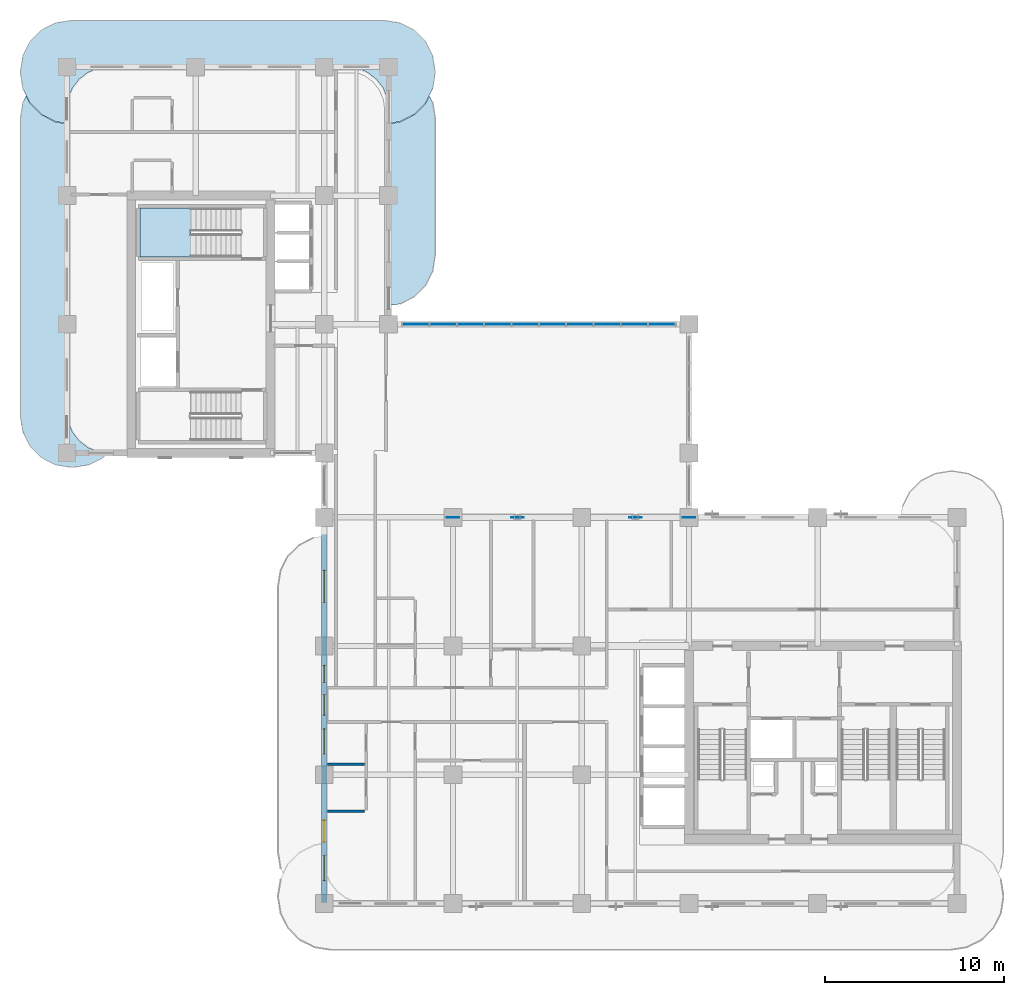
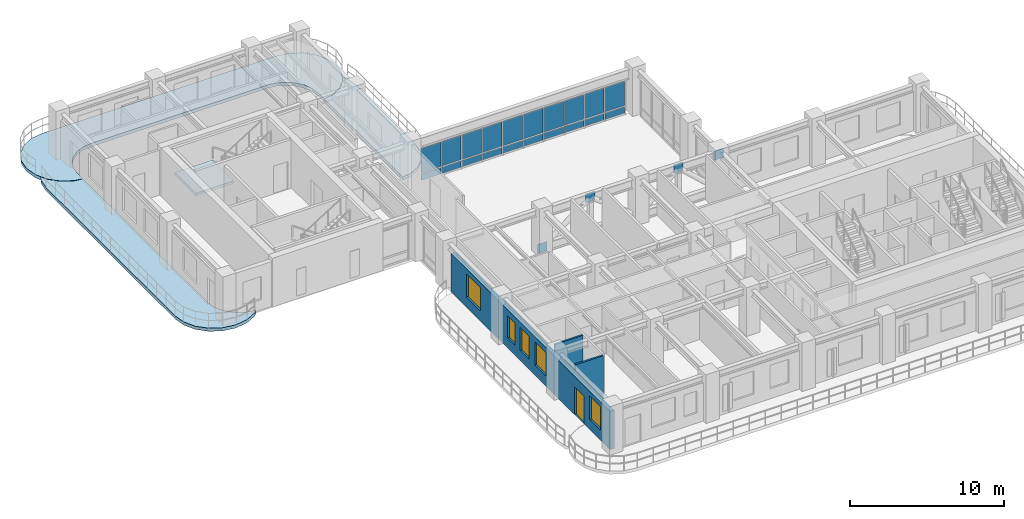
# One storey, part 8 of 17: 24 plates, 5 windows, 4 slabs, 3 walls, 1 door, 6 openings, 2 elements without a shape of their own.
"""IFC4 building model written with IfcOpenShell, lengths in metres."""

from ifc_helpers import new_model, si_unit, derived_unit, direction, frame, frame_2d, origin, origin_2d, place, context, subcontext, project, spatial, polyline, rectangle, outline, extrude, source, transform, mapped, material, layer, layer_set, type_object, type_shapes, element, fill, aggregate, save


model = new_model("IFC4")

# Units and contexts
model_context = context("Model", 3, precision=1e-05, world=origin(), true_north=direction((0.0, 1.0)))
body_context = subcontext(model_context, "Body", "Model", "MODEL_VIEW")
ifc_project = project(units=[si_unit("LENGTHUNIT", "METRE"), si_unit("AREAUNIT", "SQUARE_METRE"), si_unit("VOLUMEUNIT", "CUBIC_METRE"), si_unit("PLANEANGLEUNIT", "RADIAN"), si_unit("MASSUNIT", "GRAM", prefix="KILO"), si_unit("THERMODYNAMICTEMPERATUREUNIT", "KELVIN"), si_unit("POWERUNIT", "WATT"), derived_unit("THERMALTRANSMITTANCEUNIT", [(si_unit("POWERUNIT", "WATT"), 1), (si_unit("AREAUNIT", "SQUARE_METRE"), -1), (si_unit("THERMODYNAMICTEMPERATUREUNIT", "KELVIN"), -1)])], contexts=[model_context])

# Site, building, storey
site_placement = place(None, origin())
site = spatial("IfcSite", under=ifc_project, at=site_placement, CompositionType="ELEMENT")
building_placement = place(site_placement, origin())
building = spatial("IfcBuilding", under=site, at=building_placement, Name="Zahravan Archway Hotel and Residences", CompositionType="ELEMENT")
storey_placement = place(building_placement, frame((0.0, 0.0, 192.64990234375)))
storey = spatial("IfcBuildingStorey", under=building, at=storey_placement, Name="L48", CompositionType="ELEMENT", Elevation=192.64990234375)

# Slabs
ifc_material_1 = material(Name="Concrete C45/55", Category="concrete")
ifc_layer_1 = layer(ifc_material_1, 0.25, Name="Concrete C45/55", Category="concrete")
ifc_layer_set_1 = layer_set([ifc_layer_1], Name="Concrete C45/55")
slab_type_1 = type_object("IfcSlabType", Name="SLB-BALC-250", PredefinedType="FLOOR", material=ifc_layer_set_1)
slab_1_placement = place(storey_placement, frame((0.0, 0.0, -0.25)))
element("IfcSlab", 1, at=slab_1_placement, inside=storey, type_object=slab_type_1, Name="L48 Wing B North Rounded Balcony Band", PredefinedType="FLOOR", context=body_context, shape_type="SweptSolid", body=[
    extrude(outline(polyline([(-0.630615234375, 43.739501953125), (-1.42529296875, 44.144287109375), (-2.0556640625, 44.77490234375), (-2.46044921875, 45.5693359375), (-2.60009765625, 46.449951171875), (-2.60009765625, 46.550048828125), (-2.46044921875, 47.4306640625), (-2.0556640625, 48.22509765625), (-1.42529296875, 48.855712890625), (-0.630615234375, 49.260498046875), (0.25, 49.39990234375), (17.75, 49.39990234375), (18.630615234375, 49.260498046875), (19.42529296875, 48.855712890625), (20.0556640625, 48.22509765625), (20.46044921875, 47.4306640625), (20.60009765625, 46.550048828125), (20.60009765625, 46.449951171875), (20.46044921875, 45.5693359375), (20.0556640625, 44.77490234375), (19.42529296875, 44.144287109375), (18.630615234375, 43.739501953125), (18.02001953125, 43.642822265625), (18.02001953125, 44.39990234375), (18.019775390625, 44.402587890625), (17.93798828125, 45.023681640625), (17.937744140625, 45.025390625), (17.937255859375, 45.027099609375), (17.936767578125, 45.02880859375), (17.697021484375, 45.607666015625), (17.6962890625, 45.609130859375), (17.6953125, 45.610595703125), (17.6943359375, 45.6123046875), (17.31298828125, 46.109375), (17.311767578125, 46.110595703125), (17.310546875, 46.11181640625), (17.309326171875, 46.113037109375), (16.812255859375, 46.494384765625), (16.810791015625, 46.495361328125), (16.80908203125, 46.49609375), (16.8076171875, 46.4970703125), (16.22900390625, 46.73681640625), (16.227294921875, 46.7373046875), (16.2255859375, 46.73779296875), (16.223876953125, 46.738037109375), (15.6025390625, 46.81982421875), (15.60009765625, 46.820068359375), (2.39990234375, 46.820068359375), (2.3974609375, 46.81982421875), (1.776123046875, 46.738037109375), (1.7744140625, 46.73779296875), (1.772705078125, 46.7373046875), (1.77099609375, 46.73681640625), (1.1923828125, 46.4970703125), (1.19091796875, 46.49609375), (1.189208984375, 46.495361328125), (1.187744140625, 46.494384765625), (0.690673828125, 46.113037109375), (0.689453125, 46.11181640625), (0.688232421875, 46.110595703125), (0.68701171875, 46.109375), (0.3056640625, 45.6123046875), (0.3046875, 45.610595703125), (0.3037109375, 45.609130859375), (0.302978515625, 45.607666015625), (0.063232421875, 45.02880859375), (0.062744140625, 45.027099609375), (0.062255859375, 45.025390625), (0.06201171875, 45.023681640625), (-0.019775390625, 44.402587890625), (-0.02001953125, 44.39990234375), (-0.02001953125, 43.642822265625), (-0.630615234375, 43.739501953125)])), origin(), (0.0, 0.0, 1.0), 0.25),
])
slab_2_placement = place(storey_placement, frame((0.0, 0.0, -0.25)))
element("IfcSlab", 2, at=slab_2_placement, inside=storey, type_object=slab_type_1, Name="L48 Wing B West Rounded Balcony Band", PredefinedType="FLOOR", context=body_context, shape_type="SweptSolid", body=[
    extrude(outline(polyline([(2.025146484375, 24.9443359375), (1.230712890625, 24.53955078125), (0.35009765625, 24.39990234375), (0.25, 24.39990234375), (-0.630615234375, 24.53955078125), (-1.42529296875, 24.9443359375), (-2.0556640625, 25.57470703125), (-2.46044921875, 26.369384765625), (-2.60009765625, 27.25), (-2.60009765625, 43.949951171875), (-2.46044921875, 44.830810546875), (-2.28369140625, 45.177978515625), (-2.073486328125, 44.765625), (-2.072509765625, 44.763916015625), (-2.0712890625, 44.76220703125), (-2.06982421875, 44.7607421875), (-1.439208984375, 44.130126953125), (-1.437744140625, 44.12890625), (-1.43603515625, 44.12744140625), (-1.434326171875, 44.12646484375), (-0.639892578125, 43.7216796875), (-0.637939453125, 43.720703125), (-0.635986328125, 43.72021484375), (-0.6337890625, 43.7197265625), (-0.023193359375, 43.623046875), (-0.021240234375, 43.622802734375), (-0.02001953125, 43.622802734375), (-0.02001953125, 27.60009765625), (-0.019775390625, 27.597412109375), (0.06201171875, 26.976318359375), (0.062255859375, 26.974609375), (0.062744140625, 26.972900390625), (0.063232421875, 26.97119140625), (0.302978515625, 26.392333984375), (0.3037109375, 26.390869140625), (0.3046875, 26.389404296875), (0.3056640625, 26.3876953125), (0.68701171875, 25.890625), (0.688232421875, 25.889404296875), (0.689453125, 25.88818359375), (0.690673828125, 25.886962890625), (1.187744140625, 25.505615234375), (1.189208984375, 25.504638671875), (1.19091796875, 25.50390625), (1.1923828125, 25.5029296875), (1.77099609375, 25.26318359375), (1.772705078125, 25.2626953125), (1.7744140625, 25.26220703125), (1.776123046875, 25.261962890625), (2.27685546875, 25.196044921875), (2.025146484375, 24.9443359375)])), origin(), (0.0, 0.0, 1.0), 0.25),
])
slab_3_placement = place(storey_placement, frame((0.0, 0.0, -0.25)))
element("IfcSlab", 3, at=slab_3_placement, inside=storey, type_object=slab_type_1, Name="L48 Wing B East Rounded Balcony Band", PredefinedType="FLOOR", context=body_context, shape_type="SweptSolid", body=[
    extrude(outline(polyline([(20.46044921875, 44.830810546875), (20.60009765625, 43.949951171875), (20.60009765625, 36.25), (20.46044921875, 35.369384765625), (20.0556640625, 34.57470703125), (19.42529296875, 33.9443359375), (18.630615234375, 33.53955078125), (18.02001953125, 33.44287109375), (18.02001953125, 43.622802734375), (18.021240234375, 43.622802734375), (18.023193359375, 43.623046875), (18.6337890625, 43.7197265625), (18.635986328125, 43.72021484375), (18.637939453125, 43.720703125), (18.639892578125, 43.7216796875), (19.434326171875, 44.12646484375), (19.43603515625, 44.12744140625), (19.437744140625, 44.12890625), (19.439208984375, 44.130126953125), (20.06982421875, 44.7607421875), (20.0712890625, 44.76220703125), (20.072509765625, 44.763916015625), (20.073486328125, 44.765625), (20.28369140625, 45.177978515625), (20.46044921875, 44.830810546875)])), origin(), (0.0, 0.0, 1.0), 0.25),
])

# Stair, slab
ifc_material_2 = material(Name="Concrete C50/60", Category="concrete")
stair_type = type_object("IfcStairType", Name="STR-CORE-1300", PredefinedType="HALF_TURN_STAIR", material=ifc_material_2)
stair_placement = place(storey_placement, origin())
stair = element("IfcStair", 4, at=stair_placement, inside=storey, type_object=stair_type, Name="L48 Core B Exit Stair 2", PredefinedType="HALF_TURN_STAIR")
ifc_layer_2 = layer(ifc_material_2, 0.199951171875, Name="Concrete C50/60", Category="concrete")
ifc_layer_set_2 = layer_set([ifc_layer_2], Name="Concrete C50/60")
slab_type_2 = type_object("IfcSlabType", Name="SLB-LND-200", PredefinedType="LANDING", material=ifc_layer_set_2)
slab_4_placement = place(storey_placement, frame((0.0, 0.0, 1.72509765625)))
slab_4 = element("IfcSlab", 5, at=slab_4_placement, type_object=slab_type_2, Name="ST-B2 landing 1", PredefinedType="LANDING", context=body_context, shape_type="SweptSolid", body=[
    extrude(outline(polyline([(6.929931640625, 38.89990234375), (4.10009765625, 38.89990234375), (4.10009765625, 36.159912109375), (6.929931640625, 36.159912109375), (6.929931640625, 38.89990234375)])), origin(), (0.0, 0.0, 1.0), 0.199951171875),
])
aggregate(stair, [slab_4])

# Plates
ifc_material_3 = material(Name="Structural Steel S355J2", Category="steel")
ifc_layer_3 = layer(ifc_material_3, 0.030029296875, Name="Structural Steel S355J2", Category="steel")
ifc_layer_set_3 = layer_set([ifc_layer_3], Name="Structural Steel S355J2")
plate_type_1 = type_object("IfcPlateType", Name="PLT-GUS-BTN1", PredefinedType="USERDEFINED", material=ifc_layer_set_3)
shared_shape_1 = source(origin(), body_context, "Body", "SweptSolid", [
    extrude(rectangle(XDim=0.699951171875, YDim=0.030029296875, at=origin_2d()), origin(), (0.0, 0.0, 1.0), 0.699951171875),
])
type_shapes(plate_type_1, [shared_shape_1])
for number, where, z_axis, x_axis, name in (
    (6, (21.60009765625, 21.60009765625, 0.0), (0.0, 0.0, 1.0), (1.0, 0.0, 0.0), "L48 Sky-Bridge End Gusset Plate BTN1-W"),
    (7, (34.800048828125, 21.60009765625, 2.75), (0.0, 0.0, 1.0), (1.0, 0.0, 0.0), "L48 Sky-Bridge End Gusset Plate BTN1-E"),
    (8, (25.199951171875, 21.60009765625, 2.75), (0.0, 0.0, 1.0), (1.0, 0.0, 0.0), "L48 Sky-Bridge Gusset Plate BTN1-1"),
    (9, (31.800048828125, 21.60009765625, 2.75), (0.0, 0.0, 1.0), (1.0, 0.0, 0.0), "L48 Sky-Bridge Gusset Plate BTN1-3"),
):
    element("IfcPlate", number, at=place(storey_placement, frame(where, z_axis=z_axis, x_axis=x_axis)), inside=storey, type_object=plate_type_1, Name=name, ObjectType="GUSSET", PredefinedType="USERDEFINED", context=body_context, shape_type="MappedRepresentation", body=[
        mapped(shared_shape_1, transform((0.0, 0.0, 0.0), scale=1.0)),
    ])

# Curtain wall, plates
ifc_material_4 = material(Name="Bronze-Anodized Unitised Aluminium & Low-E Glass", Category="aluminium")
ifc_layer_4 = layer(ifc_material_4, 0.179931640625, Name="Bronze-Anodized Unitised Aluminium & Low-E Glass", Category="aluminium")
ifc_layer_set_4 = layer_set([ifc_layer_4], Name="Bronze-Anodized Unitised Aluminium & Low-E Glass")
curtain_wall_type = type_object("IfcCurtainWallType", Name="CW-SBG-2", PredefinedType="NOTDEFINED", material=ifc_layer_set_4)
curtain_wall_placement = place(storey_placement, origin())
curtain_wall = element("IfcCurtainWall", 10, at=curtain_wall_placement, inside=storey, type_object=curtain_wall_type, Name="L48 Curtain Wall CW-L48-HNG-N-1", PredefinedType="NOTDEFINED")
ifc_material_5 = material(Name="Insulated Terracotta Spandrel Panel", Category="masonry")
ifc_layer_5 = layer(ifc_material_5, 0.0400390625, Name="Insulated Terracotta Spandrel Panel", Category="masonry")
ifc_layer_set_5 = layer_set([ifc_layer_5], Name="Insulated Terracotta Spandrel Panel")
plate_type_2 = type_object("IfcPlateType", Name="CWP-SPN-40", PredefinedType="SHEET", material=ifc_layer_set_5)
shared_shape_2 = source(origin(), body_context, "Body", "SweptSolid", [
    extrude(rectangle(XDim=1.447998046875, YDim=0.0400390625, at=origin_2d()), origin(), (0.0, 0.0, 1.0), 0.516357421875),
])
plate_1_placement = place(storey_placement, frame((19.52392578125, 32.39990234375, 0.10009765625), z_axis=(0.0, 0.0, 1.0), x_axis=(1.0, 0.0, 0.0)))
plate_1 = element("IfcPlate", 11, at=plate_1_placement, type_object=plate_type_2, Name="CW-L48-HNG-N-1 Spandrel Panel 0", PredefinedType="SHEET", context=body_context, shape_type="MappedRepresentation", body=[
    mapped(shared_shape_2, transform((0.0, 0.0, 0.0), scale=1.0)),
])
plate_2_placement = place(storey_placement, frame((21.052001953125, 32.39990234375, 0.10009765625), z_axis=(0.0, 0.0, 1.0), x_axis=(1.0, 0.0, 0.0)))
plate_2 = element("IfcPlate", 12, at=plate_2_placement, type_object=plate_type_2, Name="CW-L48-HNG-N-1 Spandrel Panel 1", PredefinedType="SHEET", context=body_context, shape_type="MappedRepresentation", body=[
    mapped(shared_shape_2, transform((0.0, 0.0, 0.0), scale=1.0)),
])
plate_3_placement = place(storey_placement, frame((22.580078125, 32.39990234375, 0.10009765625), z_axis=(0.0, 0.0, 1.0), x_axis=(1.0, 0.0, 0.0)))
plate_3 = element("IfcPlate", 13, at=plate_3_placement, type_object=plate_type_2, Name="CW-L48-HNG-N-1 Spandrel Panel 2", PredefinedType="SHEET", context=body_context, shape_type="MappedRepresentation", body=[
    mapped(shared_shape_2, transform((0.0, 0.0, 0.0), scale=1.0)),
])
plate_4_placement = place(storey_placement, frame((24.10791015625, 32.39990234375, 0.10009765625), z_axis=(0.0, 0.0, 1.0), x_axis=(1.0, 0.0, 0.0)))
plate_4 = element("IfcPlate", 14, at=plate_4_placement, type_object=plate_type_2, Name="CW-L48-HNG-N-1 Spandrel Panel 3", PredefinedType="SHEET", context=body_context, shape_type="MappedRepresentation", body=[
    mapped(shared_shape_2, transform((0.0, 0.0, 0.0), scale=1.0)),
])
plate_5_placement = place(storey_placement, frame((25.635986328125, 32.39990234375, 0.10009765625), z_axis=(0.0, 0.0, 1.0), x_axis=(1.0, 0.0, 0.0)))
plate_5 = element("IfcPlate", 15, at=plate_5_placement, type_object=plate_type_2, Name="CW-L48-HNG-N-1 Spandrel Panel 4", PredefinedType="SHEET", context=body_context, shape_type="MappedRepresentation", body=[
    mapped(shared_shape_2, transform((0.0, 0.0, 0.0), scale=1.0)),
])
plate_6_placement = place(storey_placement, frame((27.1640625, 32.39990234375, 0.10009765625), z_axis=(0.0, 0.0, 1.0), x_axis=(1.0, 0.0, 0.0)))
plate_6 = element("IfcPlate", 16, at=plate_6_placement, type_object=plate_type_2, Name="CW-L48-HNG-N-1 Spandrel Panel 5", PredefinedType="SHEET", context=body_context, shape_type="MappedRepresentation", body=[
    mapped(shared_shape_2, transform((0.0, 0.0, 0.0), scale=1.0)),
])
plate_7_placement = place(storey_placement, frame((28.69189453125, 32.39990234375, 0.10009765625), z_axis=(0.0, 0.0, 1.0), x_axis=(1.0, 0.0, 0.0)))
plate_7 = element("IfcPlate", 17, at=plate_7_placement, type_object=plate_type_2, Name="CW-L48-HNG-N-1 Spandrel Panel 6", PredefinedType="SHEET", context=body_context, shape_type="MappedRepresentation", body=[
    mapped(shared_shape_2, transform((0.0, 0.0, 0.0), scale=1.0)),
])
plate_8_placement = place(storey_placement, frame((30.219970703125, 32.39990234375, 0.10009765625), z_axis=(0.0, 0.0, 1.0), x_axis=(1.0, 0.0, 0.0)))
plate_8 = element("IfcPlate", 18, at=plate_8_placement, type_object=plate_type_2, Name="CW-L48-HNG-N-1 Spandrel Panel 7", PredefinedType="SHEET", context=body_context, shape_type="MappedRepresentation", body=[
    mapped(shared_shape_2, transform((0.0, 0.0, 0.0), scale=1.0)),
])
plate_9_placement = place(storey_placement, frame((31.748046875, 32.39990234375, 0.10009765625), z_axis=(0.0, 0.0, 1.0), x_axis=(1.0, 0.0, 0.0)))
plate_9 = element("IfcPlate", 19, at=plate_9_placement, type_object=plate_type_2, Name="CW-L48-HNG-N-1 Spandrel Panel 8", PredefinedType="SHEET", context=body_context, shape_type="MappedRepresentation", body=[
    mapped(shared_shape_2, transform((0.0, 0.0, 0.0), scale=1.0)),
])
plate_10_placement = place(storey_placement, frame((33.27587890625, 32.39990234375, 0.10009765625), z_axis=(0.0, 0.0, 1.0), x_axis=(1.0, 0.0, 0.0)))
plate_10 = element("IfcPlate", 20, at=plate_10_placement, type_object=plate_type_2, Name="CW-L48-HNG-N-1 Spandrel Panel 9", PredefinedType="SHEET", context=body_context, shape_type="MappedRepresentation", body=[
    mapped(shared_shape_2, transform((0.0, 0.0, 0.0), scale=1.0)),
])
ifc_material_6 = material(Name="Double-Silver Low-E Insulated Vision Glass", Category="glass")
ifc_layer_6 = layer(ifc_material_6, 0.028076171875, Name="Double-Silver Low-E Insulated Vision Glass", Category="glass")
ifc_layer_set_6 = layer_set([ifc_layer_6], Name="Double-Silver Low-E Insulated Vision Glass")
plate_type_3 = type_object("IfcPlateType", Name="CWP-GLZ-28", PredefinedType="CURTAIN_PANEL", material=ifc_layer_set_6)
shared_shape_3 = source(origin(), body_context, "Body", "SweptSolid", [
    extrude(rectangle(XDim=1.447998046875, YDim=0.028076171875, at=origin_2d()), origin(), (0.0, 0.0, 1.0), 1.938720703125),
])
plate_11_placement = place(storey_placement, frame((19.52392578125, 32.39990234375, 0.6962890625), z_axis=(0.0, 0.0, 1.0), x_axis=(1.0, 0.0, 0.0)))
plate_11 = element("IfcPlate", 21, at=plate_11_placement, type_object=plate_type_3, Name="CW-L48-HNG-N-1 Low-E Vision Panel 0", PredefinedType="CURTAIN_PANEL", context=body_context, shape_type="MappedRepresentation", body=[
    mapped(shared_shape_3, transform((0.0, 0.0, 0.0), scale=1.0)),
])
plate_12_placement = place(storey_placement, frame((21.052001953125, 32.39990234375, 0.6962890625), z_axis=(0.0, 0.0, 1.0), x_axis=(1.0, 0.0, 0.0)))
plate_12 = element("IfcPlate", 22, at=plate_12_placement, type_object=plate_type_3, Name="CW-L48-HNG-N-1 Low-E Vision Panel 1", PredefinedType="CURTAIN_PANEL", context=body_context, shape_type="MappedRepresentation", body=[
    mapped(shared_shape_3, transform((0.0, 0.0, 0.0), scale=1.0)),
])
plate_13_placement = place(storey_placement, frame((22.580078125, 32.39990234375, 0.6962890625), z_axis=(0.0, 0.0, 1.0), x_axis=(1.0, 0.0, 0.0)))
plate_13 = element("IfcPlate", 23, at=plate_13_placement, type_object=plate_type_3, Name="CW-L48-HNG-N-1 Low-E Vision Panel 2", PredefinedType="CURTAIN_PANEL", context=body_context, shape_type="MappedRepresentation", body=[
    mapped(shared_shape_3, transform((0.0, 0.0, 0.0), scale=1.0)),
])
plate_14_placement = place(storey_placement, frame((24.10791015625, 32.39990234375, 0.6962890625), z_axis=(0.0, 0.0, 1.0), x_axis=(1.0, 0.0, 0.0)))
plate_14 = element("IfcPlate", 24, at=plate_14_placement, type_object=plate_type_3, Name="CW-L48-HNG-N-1 Low-E Vision Panel 3", PredefinedType="CURTAIN_PANEL", context=body_context, shape_type="MappedRepresentation", body=[
    mapped(shared_shape_3, transform((0.0, 0.0, 0.0), scale=1.0)),
])
plate_15_placement = place(storey_placement, frame((25.635986328125, 32.39990234375, 0.6962890625), z_axis=(0.0, 0.0, 1.0), x_axis=(1.0, 0.0, 0.0)))
plate_15 = element("IfcPlate", 25, at=plate_15_placement, type_object=plate_type_3, Name="CW-L48-HNG-N-1 Low-E Vision Panel 4", PredefinedType="CURTAIN_PANEL", context=body_context, shape_type="MappedRepresentation", body=[
    mapped(shared_shape_3, transform((0.0, 0.0, 0.0), scale=1.0)),
])
plate_16_placement = place(storey_placement, frame((27.1640625, 32.39990234375, 0.6962890625), z_axis=(0.0, 0.0, 1.0), x_axis=(1.0, 0.0, 0.0)))
plate_16 = element("IfcPlate", 26, at=plate_16_placement, type_object=plate_type_3, Name="CW-L48-HNG-N-1 Low-E Vision Panel 5", PredefinedType="CURTAIN_PANEL", context=body_context, shape_type="MappedRepresentation", body=[
    mapped(shared_shape_3, transform((0.0, 0.0, 0.0), scale=1.0)),
])
plate_17_placement = place(storey_placement, frame((28.69189453125, 32.39990234375, 0.6962890625), z_axis=(0.0, 0.0, 1.0), x_axis=(1.0, 0.0, 0.0)))
plate_17 = element("IfcPlate", 27, at=plate_17_placement, type_object=plate_type_3, Name="CW-L48-HNG-N-1 Low-E Vision Panel 6", PredefinedType="CURTAIN_PANEL", context=body_context, shape_type="MappedRepresentation", body=[
    mapped(shared_shape_3, transform((0.0, 0.0, 0.0), scale=1.0)),
])
plate_18_placement = place(storey_placement, frame((30.219970703125, 32.39990234375, 0.6962890625), z_axis=(0.0, 0.0, 1.0), x_axis=(1.0, 0.0, 0.0)))
plate_18 = element("IfcPlate", 28, at=plate_18_placement, type_object=plate_type_3, Name="CW-L48-HNG-N-1 Low-E Vision Panel 7", PredefinedType="CURTAIN_PANEL", context=body_context, shape_type="MappedRepresentation", body=[
    mapped(shared_shape_3, transform((0.0, 0.0, 0.0), scale=1.0)),
])
plate_19_placement = place(storey_placement, frame((31.748046875, 32.39990234375, 0.6962890625), z_axis=(0.0, 0.0, 1.0), x_axis=(1.0, 0.0, 0.0)))
plate_19 = element("IfcPlate", 29, at=plate_19_placement, type_object=plate_type_3, Name="CW-L48-HNG-N-1 Low-E Vision Panel 8", PredefinedType="CURTAIN_PANEL", context=body_context, shape_type="MappedRepresentation", body=[
    mapped(shared_shape_3, transform((0.0, 0.0, 0.0), scale=1.0)),
])
plate_20_placement = place(storey_placement, frame((33.27587890625, 32.39990234375, 0.6962890625), z_axis=(0.0, 0.0, 1.0), x_axis=(1.0, 0.0, 0.0)))
plate_20 = element("IfcPlate", 30, at=plate_20_placement, type_object=plate_type_3, Name="CW-L48-HNG-N-1 Low-E Vision Panel 9", PredefinedType="CURTAIN_PANEL", context=body_context, shape_type="MappedRepresentation", body=[
    mapped(shared_shape_3, transform((0.0, 0.0, 0.0), scale=1.0)),
])
aggregate(curtain_wall, [plate_1, plate_11, plate_2, plate_12, plate_3, plate_13, plate_4, plate_14, plate_5, plate_15, plate_6, plate_16, plate_7, plate_17, plate_8, plate_18, plate_9, plate_19, plate_10, plate_20])

# Wall, openings, door, windows
ifc_material_7 = material(Name="Agra Buff Sandstone & Insulated Backup", Category="masonry")
ifc_layer_7 = layer(ifc_material_7, 0.320068359375, Name="Agra Buff Sandstone & Insulated Backup", Category="masonry")
ifc_layer_set_7 = layer_set([ifc_layer_7], Name="Agra Buff Sandstone & Insulated Backup")
wall_type_1 = type_object("IfcWallType", Name="EW-SAND-320", PredefinedType="SOLIDWALL", material=ifc_layer_set_7)
wall_placement = place(storey_placement, frame((14.39990234375, 0.050048828125, 0.0), z_axis=(0.0, 0.0, 1.0), x_axis=(0.0, 1.0, 0.0)))
wall = element("IfcWall", 31, at=wall_placement, inside=storey, type_object=wall_type_1, Name="L48 Exterior Sandstone Wall WA-WL", PredefinedType="SOLIDWALL", context=body_context, shape_type="SweptSolid", body=[
    extrude(rectangle(XDim=20.599853515625, YDim=0.320068359375, at=frame_2d((10.2998046875, 0.0))), origin(), (0.0, 0.0, 1.0), 3.03515625),
])
opening_1_placement = place(wall_placement, frame((3.39990234375, 0.0, 0.0)))
opening_1 = element("IfcOpeningElement", 32, at=opening_1_placement, cuts=wall, Name="Opening ED-BL1", PredefinedType="OPENING", context=body_context, shape_type="SweptSolid", body=[
    extrude(rectangle(XDim=1.199951171875, YDim=2.199951171875, at=frame_2d((0.60009765625, 1.10009765625))), frame((0.0, 0.169921875, 0.0), z_axis=(0.0, -1.0, 0.0), x_axis=(1.0, 0.0, 0.0)), (0.0, 0.0, 1.0), 0.340087890625),
])
opening_2_placement = place(wall_placement, frame((1.22509765625, 0.0, 0.800048828125)))
opening_2 = element("IfcOpeningElement", 33, at=opening_2_placement, cuts=wall, Name="Opening W-03", PredefinedType="OPENING", context=body_context, shape_type="SweptSolid", body=[
    extrude(rectangle(XDim=1.39990234375, YDim=1.85009765625, at=frame_2d((0.699951171875, 0.925048828125))), frame((0.0, 0.169921875, 0.0), z_axis=(0.0, -1.0, 0.0), x_axis=(1.0, 0.0, 0.0)), (0.0, 0.0, 1.0), 0.340087890625),
])
opening_3_placement = place(wall_placement, frame((8.321044921875, 0.0, 0.800048828125)))
opening_3 = element("IfcOpeningElement", 34, at=opening_3_placement, cuts=wall, Name="Opening W-03", PredefinedType="OPENING", context=body_context, shape_type="SweptSolid", body=[
    extrude(rectangle(XDim=1.39990234375, YDim=1.85009765625, at=frame_2d((0.699951171875, 0.925048828125))), frame((0.0, 0.169921875, 0.0), z_axis=(0.0, -1.0, 0.0), x_axis=(1.0, 0.0, 0.0)), (0.0, 0.0, 1.0), 0.340087890625),
])
opening_4_placement = place(wall_placement, frame((10.485107421875, 0.0, 0.800048828125)))
opening_4 = element("IfcOpeningElement", 35, at=opening_4_placement, cuts=wall, Name="Opening W-05", PredefinedType="OPENING", context=body_context, shape_type="SweptSolid", body=[
    extrude(rectangle(XDim=1.14990234375, YDim=1.800048828125, at=frame_2d((0.574951171875, 0.89990234375))), frame((0.0, 0.169921875, 0.0), z_axis=(0.0, -1.0, 0.0), x_axis=(1.0, 0.0, 0.0)), (0.0, 0.0, 1.0), 0.340087890625),
])
opening_5_placement = place(wall_placement, frame((12.31396484375, 0.0, 0.800048828125)))
opening_5 = element("IfcOpeningElement", 36, at=opening_5_placement, cuts=wall, Name="Opening W-04", PredefinedType="OPENING", context=body_context, shape_type="SweptSolid", body=[
    extrude(rectangle(XDim=0.949951171875, YDim=1.75, at=frame_2d((0.47509765625, 0.875))), frame((0.0, 0.169921875, 0.0), z_axis=(0.0, -1.0, 0.0), x_axis=(1.0, 0.0, 0.0)), (0.0, 0.0, 1.0), 0.340087890625),
])
opening_6_placement = place(wall_placement, frame((16.7900390625, 0.0, 0.800048828125)))
opening_6 = element("IfcOpeningElement", 37, at=opening_6_placement, cuts=wall, Name="Opening W-02", PredefinedType="OPENING", context=body_context, shape_type="SweptSolid", body=[
    extrude(rectangle(XDim=1.800048828125, YDim=1.85009765625, at=frame_2d((0.89990234375, 0.925048828125))), frame((0.0, 0.169921875, 0.0), z_axis=(0.0, -1.0, 0.0), x_axis=(1.0, 0.0, 0.0)), (0.0, 0.0, 1.0), 0.340087890625),
])
ifc_material_8 = material(Name="Bronze-Anodized Glazed Aluminium", Category="aluminium")
door_type = type_object("IfcDoorType", Name="ED-BALC-1200", OperationType="SLIDING_TO_LEFT", PredefinedType="DOOR", material=ifc_material_8)
shared_shape_4 = source(origin(), body_context, "Body", "SweptSolid", [
    extrude(rectangle(XDim=1.199951171875, YDim=2.199951171875, at=frame_2d((0.60009765625, 1.10009765625))), frame((0.0, 0.02490234375, 0.0), z_axis=(0.0, -1.0, 0.0), x_axis=(1.0, 0.0, 0.0)), (0.0, 0.0, 1.0), 0.050048828125),
])
type_shapes(door_type, [shared_shape_4])
door_placement = place(opening_1_placement, origin())
door = element("IfcDoor", 38, at=door_placement, inside=storey, type_object=door_type, Name="L48 Outdoor Access Sliding Door (SLB-BAL-L48-WA)", OperationType="SLIDING_TO_LEFT", OverallHeight=2.199951171875, OverallWidth=1.199951171875, PredefinedType="DOOR", context=body_context, shape_type="MappedRepresentation", body=[
    mapped(shared_shape_4, transform((0.0, 0.0, 0.0), scale=1.0)),
])
fill(opening_1, door)
ifc_material_9 = material(Name="Bronze-Anodized Thermal-Break Aluminium & Low-E Glass", Category="aluminium")
window_type_1 = type_object("IfcWindowType", Name="WIN-TWR-1400", PartitioningType="SINGLE_PANEL", PredefinedType="WINDOW", material=ifc_material_9)
shared_shape_5 = source(origin(), body_context, "Body", "SweptSolid", [
    extrude(rectangle(XDim=1.39990234375, YDim=1.85009765625, at=frame_2d((0.699951171875, 0.925048828125))), frame((0.0, 0.030029296875, 0.0), z_axis=(0.0, -1.0, 0.0), x_axis=(1.0, 0.0, 0.0)), (0.0, 0.0, 1.0), 0.06005859375),
])
type_shapes(window_type_1, [shared_shape_5])
window_1_placement = place(opening_2_placement, origin())
window_1 = element("IfcWindow", 39, at=window_1_placement, inside=storey, type_object=window_type_1, Name="L48 Loggia Window 15", OverallHeight=1.85009765625, OverallWidth=1.39990234375, PartitioningType="SINGLE_PANEL", PredefinedType="WINDOW", context=body_context, shape_type="MappedRepresentation", body=[
    mapped(shared_shape_5, transform((0.0, 0.0, 0.0), scale=1.0)),
])
fill(opening_2, window_1)
window_2_placement = place(opening_3_placement, origin())
window_2 = element("IfcWindow", 40, at=window_2_placement, inside=storey, type_object=window_type_1, Name="L48 Loggia Window 16", OverallHeight=1.85009765625, OverallWidth=1.39990234375, PartitioningType="SINGLE_PANEL", PredefinedType="WINDOW", context=body_context, shape_type="MappedRepresentation", body=[
    mapped(shared_shape_5, transform((0.0, 0.0, 0.0), scale=1.0)),
])
fill(opening_3, window_2)
window_type_2 = type_object("IfcWindowType", Name="WIN-NAR-950", PartitioningType="SINGLE_PANEL", PredefinedType="WINDOW", material=ifc_material_9)
shared_shape_6 = source(origin(), body_context, "Body", "SweptSolid", [
    extrude(rectangle(XDim=0.949951171875, YDim=1.75, at=frame_2d((0.47509765625, 0.875))), frame((0.0, 0.030029296875, 0.0), z_axis=(0.0, -1.0, 0.0), x_axis=(1.0, 0.0, 0.0)), (0.0, 0.0, 1.0), 0.06005859375),
])
type_shapes(window_type_2, [shared_shape_6])
window_3_placement = place(opening_5_placement, origin())
window_3 = element("IfcWindow", 41, at=window_3_placement, inside=storey, type_object=window_type_2, Name="L48 Loggia Window 18", OverallHeight=1.75, OverallWidth=0.949951171875, PartitioningType="SINGLE_PANEL", PredefinedType="WINDOW", context=body_context, shape_type="MappedRepresentation", body=[
    mapped(shared_shape_6, transform((0.0, 0.0, 0.0), scale=1.0)),
])
fill(opening_5, window_3)
window_type_3 = type_object("IfcWindowType", Name="WIN-TWR-1800", PartitioningType="DOUBLE_PANEL_VERTICAL", PredefinedType="WINDOW", material=ifc_material_9)
shared_shape_7 = source(origin(), body_context, "Body", "SweptSolid", [
    extrude(rectangle(XDim=1.800048828125, YDim=1.85009765625, at=frame_2d((0.89990234375, 0.925048828125))), frame((0.0, 0.030029296875, 0.0), z_axis=(0.0, -1.0, 0.0), x_axis=(1.0, 0.0, 0.0)), (0.0, 0.0, 1.0), 0.06005859375),
])
type_shapes(window_type_3, [shared_shape_7])
window_4_placement = place(opening_6_placement, origin())
window_4 = element("IfcWindow", 42, at=window_4_placement, inside=storey, type_object=window_type_3, Name="L48 Loggia Window 19", OverallHeight=1.85009765625, OverallWidth=1.800048828125, PartitioningType="DOUBLE_PANEL_VERTICAL", PredefinedType="WINDOW", context=body_context, shape_type="MappedRepresentation", body=[
    mapped(shared_shape_7, transform((0.0, 0.0, 0.0), scale=1.0)),
])
fill(opening_6, window_4)
window_type_4 = type_object("IfcWindowType", Name="WIN-TWR-1150", PartitioningType="SINGLE_PANEL", PredefinedType="WINDOW", material=ifc_material_9)
shared_shape_8 = source(origin(), body_context, "Body", "SweptSolid", [
    extrude(rectangle(XDim=1.14990234375, YDim=1.800048828125, at=frame_2d((0.574951171875, 0.89990234375))), frame((0.0, 0.030029296875, 0.0), z_axis=(0.0, -1.0, 0.0), x_axis=(1.0, 0.0, 0.0)), (0.0, 0.0, 1.0), 0.06005859375),
])
type_shapes(window_type_4, [shared_shape_8])
window_5_placement = place(opening_4_placement, origin())
window_5 = element("IfcWindow", 43, at=window_5_placement, inside=storey, type_object=window_type_4, Name="L48 Loggia Window 17", OverallHeight=1.800048828125, OverallWidth=1.14990234375, PartitioningType="SINGLE_PANEL", PredefinedType="WINDOW", context=body_context, shape_type="MappedRepresentation", body=[
    mapped(shared_shape_8, transform((0.0, 0.0, 0.0), scale=1.0)),
])
fill(opening_4, window_5)

# Walls
ifc_material_10 = material(Name="Moisture-Resistant Blockwork", Category="masonry")
ifc_layer_8 = layer(ifc_material_10, 0.139892578125, Name="Moisture-Resistant Blockwork", Category="masonry")
ifc_layer_set_8 = layer_set([ifc_layer_8], Name="Moisture-Resistant Blockwork")
wall_type_2 = type_object("IfcWallType", Name="PW-WET-140", PredefinedType="PARTITIONING", material=ifc_layer_set_8)
for number, where, z_axis, x_axis, name in (
    (44, (14.568115234375, 7.800048828125, 0.0), (0.0, 0.0, 1.0), (1.0, 0.0, 0.0), "L48 Partition FL-S1-BM"),
    (45, (14.568115234375, 5.14990234375, 0.0), (0.0, 0.0, 1.0), (1.0, 0.0, 0.0), "L48 Partition FL-S1-KH"),
):
    element("IfcWall", number, at=place(storey_placement, frame(where, z_axis=z_axis, x_axis=x_axis)), inside=storey, type_object=wall_type_2, Name=name, PredefinedType="PARTITIONING", context=body_context, shape_type="SweptSolid", body=[
        extrude(rectangle(XDim=2.091796875, YDim=0.139892578125, at=frame_2d((1.0458984375, 0.0))), origin(), (0.0, 0.0, 1.0), 3.550048828125),
    ])

save(model, "model.ifc")
